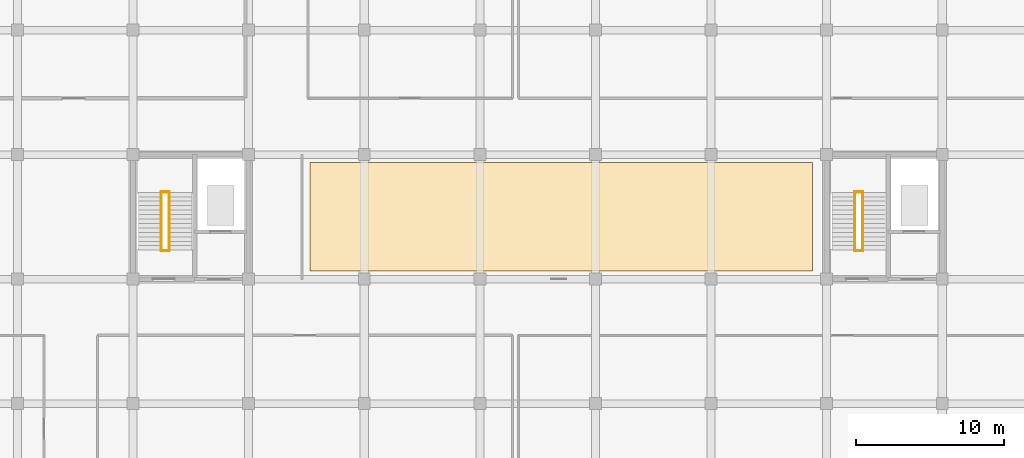
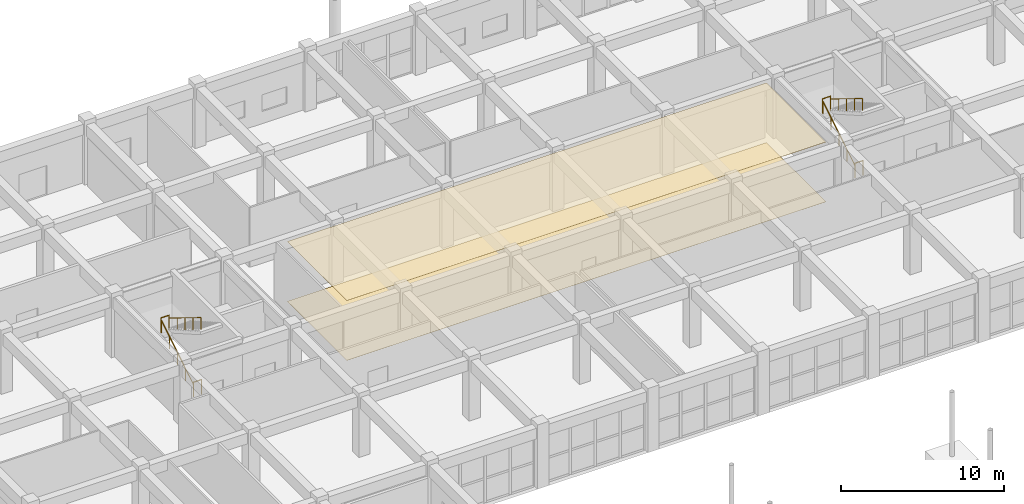
# One storey, part 137 of 139: 8 railings, 2 coverings.
"""IFC4 building model written with IfcOpenShell, lengths in metres."""

from ifc_helpers import new_model, si_unit, direction, frame, origin, origin_2d, place, context, subcontext, project, spatial, polyline, circle, hollow_circle, outline, extrude, material, layer, layer_set, material_profile, profile_set, type_object, element, save


model = new_model("IFC4")

# Units and contexts
model_context = context("Model", 3, precision=1e-05, world=origin(), true_north=direction((0.0, 1.0)))
body_context = subcontext(model_context, "Body", "Model", "MODEL_VIEW")
ifc_project = project(units=[si_unit("LENGTHUNIT", "METRE"), si_unit("AREAUNIT", "SQUARE_METRE"), si_unit("VOLUMEUNIT", "CUBIC_METRE"), si_unit("PLANEANGLEUNIT", "RADIAN"), si_unit("MASSUNIT", "GRAM", prefix="KILO")], contexts=[model_context])

# Site, building, storey
site_placement = place(None, origin())
site = spatial("IfcSite", under=ifc_project, at=site_placement, CompositionType="ELEMENT")
building_placement = place(site_placement, origin())
building = spatial("IfcBuilding", under=site, at=building_placement, Name="Zizhar Promenade General Hospital", CompositionType="ELEMENT")
storey_placement = place(building_placement, origin())
storey = spatial("IfcBuildingStorey", under=building, at=storey_placement, Name="L00", CompositionType="ELEMENT", Elevation=0.0)

# Coverings
ifc_material_1 = material(Name="Hygienic acoustic mineral ceiling tile")
ifc_layer_1 = layer(ifc_material_1, 0.02001953125)
ifc_layer_set_1 = layer_set([ifc_layer_1], Name="Hygienic acoustic mineral ceiling tile")
covering_type_1 = type_object("IfcCoveringType", Name="COV-CLG-ACOUST-20", PredefinedType="CEILING", material=ifc_layer_set_1)
covering_1_placement = place(storey_placement, frame((0.0, 0.0, 4.4599609375)))
element("IfcCovering", 1, at=covering_1_placement, inside=storey, type_object=covering_type_1, Name="Surgical Staff Lounge and Accessible Toilet L00 Hygienic Ceiling", PredefinedType="CEILING", context=body_context, shape_type="SweptSolid", body=[
    extrude(outline(polyline([(74.35009765625, 109.75), (108.25, 109.75), (108.25, 117.050048828125), (74.35009765625, 117.050048828125), (74.35009765625, 109.75)])), origin(), (0.0, 0.0, 1.0), 0.02001953125),
])
ifc_material_2 = material(Name="Seamless antimicrobial vinyl flooring")
ifc_layer_2 = layer(ifc_material_2, 0.008056640625)
ifc_layer_set_2 = layer_set([ifc_layer_2], Name="Seamless antimicrobial vinyl flooring")
covering_type_2 = type_object("IfcCoveringType", Name="COV-FLR-VINYL-08", PredefinedType="FLOORING", material=ifc_layer_set_2)
covering_2_placement = place(storey_placement, origin())
element("IfcCovering", 2, at=covering_2_placement, inside=storey, type_object=covering_type_2, Name="Surgical Staff Lounge and Accessible Toilet L00 Clinical Flooring", PredefinedType="FLOORING", context=body_context, shape_type="SweptSolid", body=[
    extrude(outline(polyline([(74.35009765625, 109.75), (108.25, 109.75), (108.25, 117.050048828125), (74.35009765625, 117.050048828125), (74.35009765625, 109.75)])), origin(), (0.0, 0.0, 1.0), 0.008056640625),
])

# Railings
ifc_material_3 = material(Name="Anodised aluminium 6063-T6", Category="aluminium")
ifc_material_profile_1 = material_profile(ifc_material_3, hollow_circle(Radius=0.06982421875, WallThickness=0.00634765625, at=origin_2d()))
ifc_profile_set_1 = profile_set([ifc_material_profile_1], Name="Anodised aluminium 6063-T6")
railing_type_1 = type_object("IfcRailingType", Name="RL-HANDRAIL-920", PredefinedType="HANDRAIL", material=ifc_profile_set_1)
railing_1_placement = place(storey_placement, frame((64.300048828125, 111.14990234375, 0.0)))
element("IfcRailing", 3, at=railing_1_placement, inside=storey, type_object=railing_type_1, Name="Stair ST-06 Flight 1 Handrail (L00)", PredefinedType="HANDRAIL", context=body_context, shape_type="SweptSolid", body=[
    extrude(circle(Radius=0.02392578125, at=origin_2d()), frame((0.0, 0.0, 0.89599609375), z_axis=(0.0, 0.851676621109, 0.524067679844), x_axis=(-1.0, 0.0, 0.0)), (0.0, 0.0, 1.0), 4.579345703125),
    extrude(circle(Radius=0.02099609375, at=origin_2d()), origin(), (0.0, 0.0, 1.0), 0.871826171875),
    extrude(circle(Radius=0.02099609375, at=origin_2d()), frame((0.0, 0.97509765625, 0.60009765625)), (0.0, 0.0, 1.0), 0.871826171875),
    extrude(circle(Radius=0.02099609375, at=origin_2d()), frame((0.0, 1.9501953125, 1.199951171875)), (0.0, 0.0, 1.0), 0.871826171875),
    extrude(circle(Radius=0.02099609375, at=origin_2d()), frame((0.0, 2.925048828125, 1.7998046875)), (0.0, 0.0, 1.0), 0.871826171875),
    extrude(circle(Radius=0.02099609375, at=origin_2d()), frame((0.0, 3.900146484375, 2.39990234375)), (0.0, 0.0, 1.0), 0.871826171875),
])
railing_2_placement = place(storey_placement, frame((64.840087890625, 115.050048828125, 2.39990234375)))
element("IfcRailing", 4, at=railing_2_placement, inside=storey, type_object=railing_type_1, Name="Stair ST-06 Flight 2 Handrail (L00)", PredefinedType="HANDRAIL", context=body_context, shape_type="SweptSolid", body=[
    extrude(circle(Radius=0.02392578125, at=origin_2d()), frame((0.0, 0.0, 0.89599609375), z_axis=(0.0, -0.851652825334, 0.524106349037), x_axis=(1.0, 0.0, 0.0)), (0.0, 0.0, 1.0), 4.57958984375),
    extrude(circle(Radius=0.02099609375, at=origin_2d()), origin(), (0.0, 0.0, 1.0), 0.871826171875),
    extrude(circle(Radius=0.02099609375, at=origin_2d()), frame((0.0, -0.97509765625, 0.60009765625)), (0.0, 0.0, 1.0), 0.871826171875),
    extrude(circle(Radius=0.02099609375, at=origin_2d()), frame((0.0, -1.9501953125, 1.2001953125)), (0.0, 0.0, 1.0), 0.871826171875),
    extrude(circle(Radius=0.02099609375, at=origin_2d()), frame((0.0, -2.925048828125, 1.800048828125)), (0.0, 0.0, 1.0), 0.871826171875),
    extrude(circle(Radius=0.02099609375, at=origin_2d()), frame((0.0, -3.900146484375, 2.400146484375)), (0.0, 0.0, 1.0), 0.871826171875),
])
railing_3_placement = place(storey_placement, frame((111.10009765625, 111.14990234375, 0.0)))
element("IfcRailing", 5, at=railing_3_placement, inside=storey, type_object=railing_type_1, Name="Stair ST-07 Flight 1 Handrail (L00)", PredefinedType="HANDRAIL", context=body_context, shape_type="SweptSolid", body=[
    extrude(circle(Radius=0.02392578125, at=origin_2d()), frame((0.0, 0.0, 0.89599609375), z_axis=(0.0, 0.851676621109, 0.524067679844), x_axis=(-1.0, 0.0, 0.0)), (0.0, 0.0, 1.0), 4.579345703125),
    extrude(circle(Radius=0.02099609375, at=origin_2d()), origin(), (0.0, 0.0, 1.0), 0.871826171875),
    extrude(circle(Radius=0.02099609375, at=origin_2d()), frame((0.0, 0.97509765625, 0.60009765625)), (0.0, 0.0, 1.0), 0.871826171875),
    extrude(circle(Radius=0.02099609375, at=origin_2d()), frame((0.0, 1.9501953125, 1.199951171875)), (0.0, 0.0, 1.0), 0.871826171875),
    extrude(circle(Radius=0.02099609375, at=origin_2d()), frame((0.0, 2.925048828125, 1.7998046875)), (0.0, 0.0, 1.0), 0.871826171875),
    extrude(circle(Radius=0.02099609375, at=origin_2d()), frame((0.0, 3.900146484375, 2.39990234375)), (0.0, 0.0, 1.0), 0.871826171875),
])
railing_4_placement = place(storey_placement, frame((111.639892578125, 115.050048828125, 2.39990234375)))
element("IfcRailing", 6, at=railing_4_placement, inside=storey, type_object=railing_type_1, Name="Stair ST-07 Flight 2 Handrail (L00)", PredefinedType="HANDRAIL", context=body_context, shape_type="SweptSolid", body=[
    extrude(circle(Radius=0.02392578125, at=origin_2d()), frame((0.0, 0.0, 0.89599609375), z_axis=(0.0, -0.851652825334, 0.524106349037), x_axis=(1.0, 0.0, 0.0)), (0.0, 0.0, 1.0), 4.57958984375),
    extrude(circle(Radius=0.02099609375, at=origin_2d()), origin(), (0.0, 0.0, 1.0), 0.871826171875),
    extrude(circle(Radius=0.02099609375, at=origin_2d()), frame((0.0, -0.97509765625, 0.60009765625)), (0.0, 0.0, 1.0), 0.871826171875),
    extrude(circle(Radius=0.02099609375, at=origin_2d()), frame((0.0, -1.9501953125, 1.2001953125)), (0.0, 0.0, 1.0), 0.871826171875),
    extrude(circle(Radius=0.02099609375, at=origin_2d()), frame((0.0, -2.925048828125, 1.800048828125)), (0.0, 0.0, 1.0), 0.871826171875),
    extrude(circle(Radius=0.02099609375, at=origin_2d()), frame((0.0, -3.900146484375, 2.400146484375)), (0.0, 0.0, 1.0), 0.871826171875),
])
ifc_material_4 = material(Name="Steel S355", Category="steel")
ifc_material_profile_2 = material_profile(ifc_material_4, hollow_circle(Radius=0.06982421875, WallThickness=0.00634765625, at=origin_2d()))
ifc_profile_set_2 = profile_set([ifc_material_profile_2], Name="Steel S355")
railing_type_2 = type_object("IfcRailingType", Name="RL-STAIR-GUARD-1100", PredefinedType="GUARDRAIL", material=ifc_profile_set_2)
for number, where, name in (
    (7, (64.280029296875, 115.090087890625, 2.39990234375), "Stair ST-06 Half-Landing Guard (L00)"),
    (8, (64.280029296875, 111.110107421875, 0.0), "Stair ST-06 Landing Well Guard (L00)"),
):
    element("IfcRailing", number, at=place(storey_placement, frame(where)), inside=storey, type_object=railing_type_2, Name=name, PredefinedType="GUARDRAIL", context=body_context, shape_type="SweptSolid", body=[
        extrude(circle(Radius=0.02392578125, at=origin_2d()), frame((0.0, 0.0, 1.076171875), z_axis=(1.0, 0.0, 0.0), x_axis=(0.0, 1.0, 0.0)), (0.0, 0.0, 1.0), 0.580078125),
        extrude(circle(Radius=0.02099609375, at=origin_2d()), origin(), (0.0, 0.0, 1.0), 1.052001953125),
        extrude(circle(Radius=0.02099609375, at=origin_2d()), frame((0.580078125, 0.0, 0.0)), (0.0, 0.0, 1.0), 1.052001953125),
    ])
for number, where, name in (
    (9, (111.080078125, 115.090087890625, 2.39990234375), "Stair ST-07 Half-Landing Guard (L00)"),
    (10, (111.080078125, 111.110107421875, 0.0), "Stair ST-07 Landing Well Guard (L00)"),
):
    element("IfcRailing", number, at=place(storey_placement, frame(where)), inside=storey, type_object=railing_type_2, Name=name, PredefinedType="GUARDRAIL", context=body_context, shape_type="SweptSolid", body=[
        extrude(circle(Radius=0.02392578125, at=origin_2d()), frame((0.0, 0.0, 1.076171875), z_axis=(1.0, 0.0, 0.0), x_axis=(0.0, 1.0, 0.0)), (0.0, 0.0, 1.0), 0.579833984375),
        extrude(circle(Radius=0.02099609375, at=origin_2d()), origin(), (0.0, 0.0, 1.0), 1.052001953125),
        extrude(circle(Radius=0.02099609375, at=origin_2d()), frame((0.579833984375, 0.0, 0.0)), (0.0, 0.0, 1.0), 1.052001953125),
    ])

save(model, "model.ifc")
